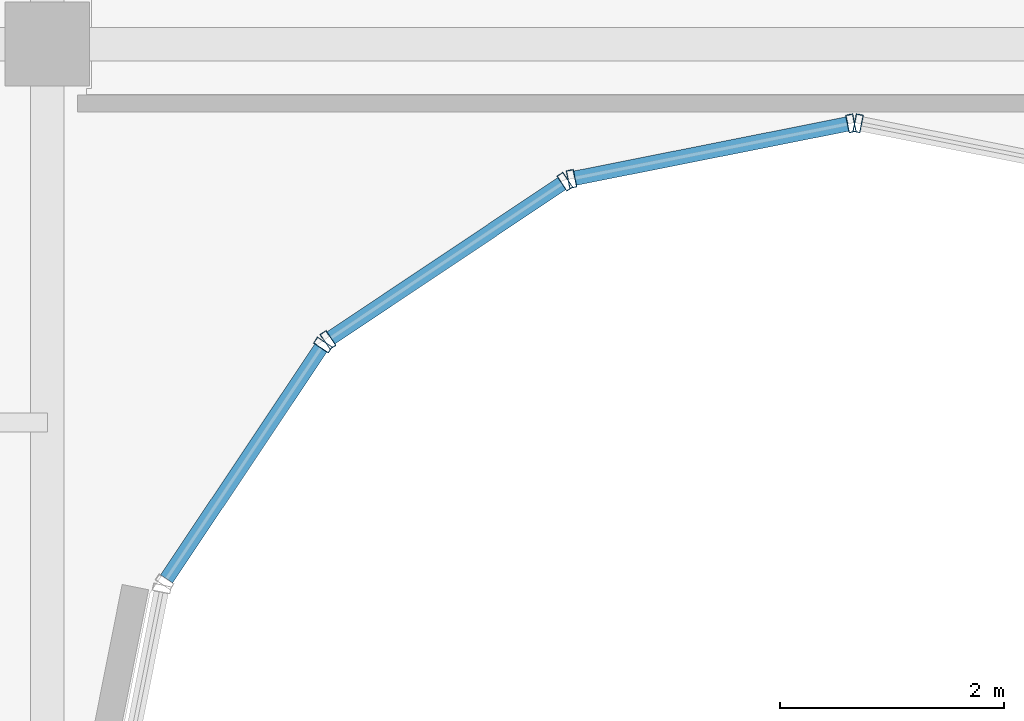
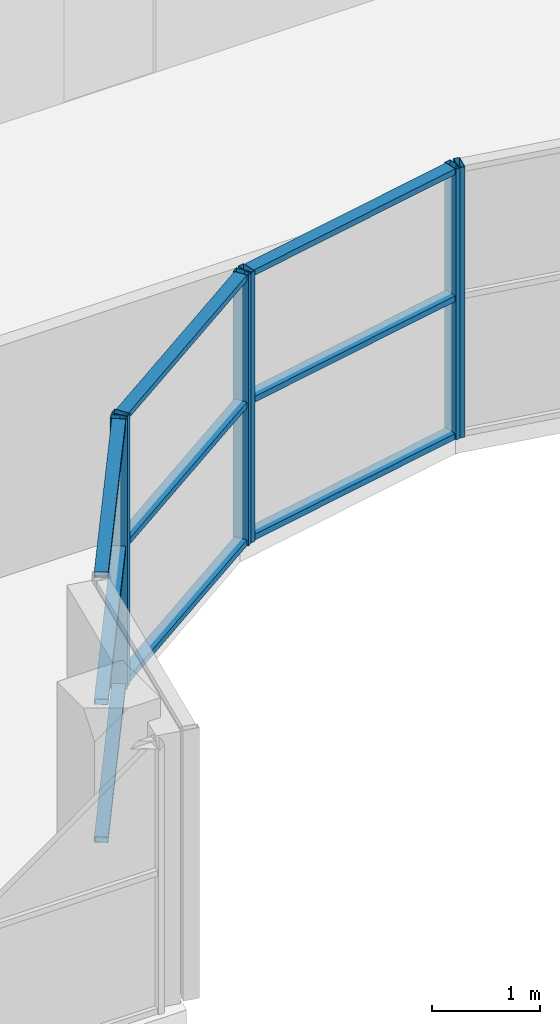
# One storey, part 5 of 29: 15 members, 4 elements without a shape of their own.
"""IFC4 building model written with IfcOpenShell, lengths in metres."""

import ifcopenshell
import ifcopenshell.guid

model = None  # the IFC model being written
_history = None  # IfcOwnerHistory: only IFC2X3 demands one
_inside = {}  # id of a spatial element -> (the spatial element, [elements in it])
_under = {}  # id of a project, library or spatial element -> (it, [spatial elements below it])
_declared = {}  # id of a project -> (the project, [libraries it declares])
_typed = {}  # id of a type object -> (the type object, [elements of that type])
_made_of = {}  # id of a material, layer set ... -> (it, [elements and type objects made of it])


def new_model(schema):
    """Start an empty IFC model of exactly this schema.

    Asked for "IFC4X3", IfcOpenShell would pick the latest addendum, in which some entities
    have other attributes; the version numbers below select the first issue.
    IFC2X3 requires an IfcOwnerHistory on every rooted entity: one is made here for all.
    """
    global model, _history
    if schema == "IFC4X3":
        model = ifcopenshell.file(schema_version=(4, 3, 0, 0))
    else:
        model = ifcopenshell.file(schema=schema)
    _inside.clear()
    _under.clear()
    _declared.clear()
    _typed.clear()
    _made_of.clear()
    _history = None
    if model.schema == "IFC2X3":
        org = make("IfcOrganization", Name="unknown")
        user = make(
            "IfcPersonAndOrganization",
            ThePerson=make("IfcPerson", FamilyName="unknown"),
            TheOrganization=org,
        )
        app = make(
            "IfcApplication",
            ApplicationDeveloper=org,
            Version="unknown",
            ApplicationFullName="unknown",
            ApplicationIdentifier="unknown",
        )
        _history = make(
            "IfcOwnerHistory",
            OwningUser=user,
            OwningApplication=app,
            ChangeAction="ADDED",
            CreationDate=0,
        )
    return model


def make(cls, **values):
    """One entity of the class cls with the attributes given. An attribute that is None is left unset."""
    return model.create_entity(
        cls, **{name: value for name, value in values.items() if value is not None}
    )


def rooted(cls, **values):
    """An entity with a GlobalId (a new one), such as an element, a storey or a relation."""
    return make(cls, GlobalId=ifcopenshell.guid.new(), OwnerHistory=_history, **values)


def si_unit(unit_type, name, prefix=None):
    """IfcSIUnit, for example si_unit("LENGTHUNIT", "METRE", prefix="MILLI")."""
    return make("IfcSIUnit", UnitType=unit_type, Prefix=prefix, Name=name)


def assignment(units):
    """IfcUnitAssignment: the units of a project."""
    return None if units is None else make("IfcUnitAssignment", Units=units)


def point(xyz):
    """IfcCartesianPoint."""
    return None if xyz is None else make("IfcCartesianPoint", Coordinates=xyz)


def direction(xyz):
    """IfcDirection."""
    return None if xyz is None else make("IfcDirection", DirectionRatios=xyz)


def frame(location, z_axis=None, x_axis=None):
    """IfcAxis2Placement3D, a coordinate frame: its origin and axes. An axis left out is left unset."""
    return make(
        "IfcAxis2Placement3D",
        Location=point(location),
        Axis=direction(z_axis),
        RefDirection=direction(x_axis),
    )


def frame_2d(location, x_axis=None):
    """IfcAxis2Placement2D, a coordinate frame in the plane: its origin and x axis."""
    return make(
        "IfcAxis2Placement2D", Location=point(location), RefDirection=direction(x_axis)
    )


def origin():
    """The frame at (0, 0, 0) with its axes left unset."""
    return frame((0.0, 0.0, 0.0))


def origin_2d():
    """The frame at (0, 0) in the plane with its x axis left unset."""
    return frame_2d((0.0, 0.0))


def place(relative_to, where):
    """IfcLocalPlacement: puts the frame where relative to a parent placement (None: the world)."""
    return make(
        "IfcLocalPlacement", PlacementRelTo=relative_to, RelativePlacement=where
    )


def context(
    kind, dimensions, precision=None, world=None, true_north=None, identifier=None
):
    """IfcGeometricRepresentationContext, for example the 3D "Model" context."""
    return make(
        "IfcGeometricRepresentationContext",
        ContextIdentifier=identifier,
        ContextType=kind,
        CoordinateSpaceDimension=dimensions,
        Precision=precision,
        WorldCoordinateSystem=world,
        TrueNorth=true_north,
    )


def subcontext(parent, identifier, kind, view, scale=None):
    """IfcGeometricRepresentationSubContext, for example "Body" below "Model"."""
    return make(
        "IfcGeometricRepresentationSubContext",
        ContextIdentifier=identifier,
        ContextType=kind,
        ParentContext=parent,
        TargetScale=scale,
        TargetView=view,
    )


def project(units=None, contexts=None):
    """IfcProject with its units and contexts."""
    return rooted(
        "IfcProject",
        Name="project",
        RepresentationContexts=contexts,
        UnitsInContext=assignment(units),
    )


def spatial(cls, under=None, at=None, **own):
    """A site, building, storey or space (cls), placed at a placement, below another one or the project."""
    s = rooted(cls, ObjectPlacement=at, **own)
    if under is not None:
        _under.setdefault(under.id(), (under, []))[1].append(s)
    return s


def profile(cls, at=None, kind="AREA", **sizes):
    """A parametric profile (cls). Its sizes go by their IFC names, for example OverallWidth=200.0."""
    return make(cls, ProfileType=kind, Position=at, **sizes)


def hollow_rectangle(**sizes):
    """IfcRectangleHollowProfileDef."""
    return profile("IfcRectangleHollowProfileDef", **sizes)


def extrude(swept, where, along, depth):
    """IfcExtrudedAreaSolid: the profile swept, set in the frame where, extruded along a direction by depth."""
    return make(
        "IfcExtrudedAreaSolid",
        SweptArea=swept,
        Position=where,
        ExtrudedDirection=direction(along),
        Depth=depth,
    )


def shape(context_of_items, identifier, shape_type, items):
    """IfcShapeRepresentation: the items that make up one representation, for example the "Body"."""
    return make(
        "IfcShapeRepresentation",
        ContextOfItems=context_of_items,
        RepresentationIdentifier=identifier,
        RepresentationType=shape_type,
        Items=items,
    )


def source(mapping_origin, context_of_items, identifier, shape_type, items):
    """IfcRepresentationMap: a shape defined once, which mapped items show again and again."""
    return make(
        "IfcRepresentationMap",
        MappingOrigin=mapping_origin,
        MappedRepresentation=shape(context_of_items, identifier, shape_type, items),
    )


def transform(
    local_origin,
    x_axis=None,
    y_axis=None,
    z_axis=None,
    scale=None,
    scale2=None,
    scale3=None,
    uniform=True,
):
    """IfcCartesianTransformationOperator3D, or its non-uniform kind. x_axis, y_axis, z_axis: its Axis1, 2, 3."""
    if uniform:
        return make(
            "IfcCartesianTransformationOperator3D",
            Axis1=direction(x_axis),
            Axis2=direction(y_axis),
            LocalOrigin=point(local_origin),
            Scale=scale,
            Axis3=direction(z_axis),
        )
    return make(
        "IfcCartesianTransformationOperator3DnonUniform",
        Axis1=direction(x_axis),
        Axis2=direction(y_axis),
        LocalOrigin=point(local_origin),
        Scale=scale,
        Axis3=direction(z_axis),
        Scale2=scale2,
        Scale3=scale3,
    )


def mapped(mapping_source, mapping_target):
    """IfcMappedItem: shows the shape of a source again, moved by a transform."""
    return make(
        "IfcMappedItem", MappingSource=mapping_source, MappingTarget=mapping_target
    )


def material(Name=None, Category=None):
    """IfcMaterial."""
    return make("IfcMaterial", Name=Name, Category=Category)


def layer(
    of_material, thickness, ventilated=None, Name=None, Category=None, Priority=None
):
    """IfcMaterialLayer: one layer of a wall or slab, of a material (None: an air gap)."""
    return make(
        "IfcMaterialLayer",
        Material=of_material,
        LayerThickness=thickness,
        IsVentilated=ventilated,
        Name=Name,
        Category=Category,
        Priority=Priority,
    )


def layer_set(layers, Name=None):
    """IfcMaterialLayerSet."""
    return make("IfcMaterialLayerSet", MaterialLayers=layers, LayerSetName=Name)


def material_profile(
    of_material, cross_section, Name=None, Category=None, Priority=None
):
    """IfcMaterialProfile: a cross section and its material."""
    return make(
        "IfcMaterialProfile",
        Name=Name,
        Material=of_material,
        Profile=cross_section,
        Priority=Priority,
        Category=Category,
    )


def profile_set(profiles, Name=None, composite=None):
    """IfcMaterialProfileSet."""
    return make(
        "IfcMaterialProfileSet",
        Name=Name,
        MaterialProfiles=profiles,
        CompositeProfile=composite,
    )


def made_of(thing, what):
    """Note that an element or type object is made of a material, layer set ...; save() writes the relation."""
    if what is not None:
        _made_of.setdefault(what.id(), (what, []))[1].append(thing)
    return thing


def type_object(cls, material=None, **own):
    """A type object (cls), such as IfcWallType, which elements share."""
    return made_of(rooted(cls, **own), material)


def element(
    cls,
    number,
    at=None,
    inside=None,
    cuts=None,
    type_object=None,
    material=None,
    context=None,
    identifier="Body",
    shape_type=None,
    held_by="IfcProductDefinitionShape",
    body=None,
    shapes=None,
    **own,
):
    """One element of the class cls, such as IfcWall. Its Tag is "e" and its number.

    at: its placement. inside: the storey or other place that contains it. cuts: it is an
    opening in that element (IfcRelVoidsElement). A single representation is given by context,
    identifier, shape_type and body (its items); several are given by shapes. held_by: the class
    of the entity that holds the representations. save() writes the other relations.
    """
    e = rooted(cls, Tag="e%d" % number, ObjectPlacement=at, **own)
    if body is not None:
        shapes = [shape(context, identifier, shape_type, body)]
    if shapes is not None:
        e.Representation = make(held_by, Representations=shapes)
    if inside is not None:
        _inside.setdefault(inside.id(), (inside, []))[1].append(e)
    if cuts is not None:
        rooted(
            "IfcRelVoidsElement", RelatingBuildingElement=cuts, RelatedOpeningElement=e
        )
    if type_object is not None:
        _typed.setdefault(type_object.id(), (type_object, []))[1].append(e)
    return made_of(e, material)


def aggregate(whole, parts):
    """IfcRelAggregates: a whole, such as a stair, and the parts it consists of."""
    return rooted("IfcRelAggregates", RelatingObject=whole, RelatedObjects=parts)


def save(model, path):
    """Write the relations noted so far, then the file.

    IfcRelAggregates (storeys below a building ...), IfcRelContainedInSpatialStructure (elements
    in a storey), IfcRelDefinesByType, IfcRelAssociatesMaterial and IfcRelDeclares: one each for
    every whole, place, type object, material and project.
    """
    for whole, parts in _under.values():
        aggregate(whole, parts)
    for where, things in _inside.values():
        rooted(
            "IfcRelContainedInSpatialStructure",
            RelatedElements=things,
            RelatingStructure=where,
        )
    for kind, things in _typed.values():
        rooted("IfcRelDefinesByType", RelatedObjects=things, RelatingType=kind)
    for what, things in _made_of.values():
        rooted("IfcRelAssociatesMaterial", RelatedObjects=things, RelatingMaterial=what)
    for by, libraries in _declared.values():
        rooted("IfcRelDeclares", RelatingContext=by, RelatedDefinitions=libraries)
    model.write(path)


model = new_model("IFC4")

# Units and contexts
model_context = context("Model", 3, precision=1e-05, world=origin(), true_north=direction((0.0, 1.0)))
body_context = subcontext(model_context, "Body", "Model", "MODEL_VIEW")
ifc_project = project(units=[si_unit("LENGTHUNIT", "METRE"), si_unit("AREAUNIT", "SQUARE_METRE"), si_unit("VOLUMEUNIT", "CUBIC_METRE"), si_unit("PLANEANGLEUNIT", "RADIAN"), si_unit("MASSUNIT", "GRAM", prefix="KILO")], contexts=[model_context])

# Site, building, storey
site_placement = place(None, origin())
site = spatial("IfcSite", under=ifc_project, at=site_placement, CompositionType="ELEMENT")
building_placement = place(site_placement, origin())
building = spatial("IfcBuilding", under=site, at=building_placement, Name="Zarnakvel Exchange Tower", CompositionType="ELEMENT")
storey_placement = place(building_placement, frame((0.0, 0.0, 265.0)))
storey = spatial("IfcBuildingStorey", under=building, at=storey_placement, Name="L75", CompositionType="ELEMENT", Elevation=265.0)

# Curtain wall, members
ifc_material = material(Name="Architectural Bronze Anodised Aluminium", Category="aluminium")
ifc_layer = layer(ifc_material, 0.159912109375)
ifc_layer_set = layer_set([ifc_layer], Name="Architectural Bronze Anodised Aluminium")
curtain_wall_type = type_object("IfcCurtainWallType", Name="CW-06", PredefinedType="NOTDEFINED", material=ifc_layer_set)
curtain_wall_1_placement = place(storey_placement, origin())
curtain_wall_1 = element("IfcCurtainWall", 1, at=curtain_wall_1_placement, inside=storey, type_object=curtain_wall_type, Name="L75 Curtain Wall CW-L75-NC2 (CW-06)", PredefinedType="NOTDEFINED")
ifc_material_profile_1 = material_profile(ifc_material, hollow_rectangle(XDim=0.1298828125, YDim=0.06494140625, WallThickness=0.00390625, at=origin_2d()))
ifc_profile_set_1 = profile_set([ifc_material_profile_1], Name="Architectural Bronze Anodised Aluminium")
member_type_1 = type_object("IfcMemberType", Name="CWT-06", PredefinedType="USERDEFINED", material=ifc_profile_set_1)
shared_shape_1 = source(origin(), body_context, "Body", "SweptSolid", [
    extrude(hollow_rectangle(XDim=0.1298828125, YDim=0.06494140625, WallThickness=0.00390625, at=origin_2d()), origin(), (0.0, 0.0, 1.0), 2.4765625),
])
member_1_placement = place(storey_placement, frame((-6.135498046875, -14.36962890625, 0.032470703125), z_axis=(0.555609854963, 0.831443136401, 0.0), x_axis=(-0.831443136401, 0.555609854963, 0.0)))
member_1 = element("IfcMember", 2, at=member_1_placement, type_object=member_type_1, Name="CW-06 transom 1.1", ObjectType="TRANSOM", PredefinedType="USERDEFINED", context=body_context, shape_type="MappedRepresentation", body=[
    mapped(shared_shape_1, transform((0.0, 0.0, 0.0), x_axis=(1.0, 0.0, 0.0), y_axis=(0.0, 1.0, 0.0), z_axis=(0.0, 0.0, 1.0), scale=1.0)),
])
member_2_placement = place(storey_placement, frame((-6.135498046875, -14.36962890625, 1.588623046875), z_axis=(0.555609854963, 0.831443136401, 0.0), x_axis=(-0.831443136401, 0.555609854963, 0.0)))
member_2 = element("IfcMember", 3, at=member_2_placement, type_object=member_type_1, Name="CW-06 transom 1.2", ObjectType="TRANSOM", PredefinedType="USERDEFINED", context=body_context, shape_type="MappedRepresentation", body=[
    mapped(shared_shape_1, transform((0.0, 0.0, 0.0), x_axis=(1.0, 0.0, 0.0), y_axis=(0.0, 1.0, 0.0), z_axis=(0.0, 0.0, 1.0), scale=1.0)),
])
member_3_placement = place(storey_placement, frame((-6.135498046875, -14.36962890625, 3.0224609375), z_axis=(0.555609854963, 0.831443136401, 0.0), x_axis=(-0.831443136401, 0.555609854963, 0.0)))
member_3 = element("IfcMember", 4, at=member_3_placement, type_object=member_type_1, Name="CW-06 transom 1.3", ObjectType="TRANSOM", PredefinedType="USERDEFINED", context=body_context, shape_type="MappedRepresentation", body=[
    mapped(shared_shape_1, transform((0.0, 0.0, 0.0), x_axis=(1.0, 0.0, 0.0), y_axis=(0.0, 1.0, 0.0), z_axis=(0.0, 0.0, 1.0), scale=1.0)),
])

curtain_wall_2_placement = place(storey_placement, origin())
curtain_wall_2 = element("IfcCurtainWall", 5, at=curtain_wall_2_placement, inside=storey, type_object=curtain_wall_type, Name="L75 Curtain Wall CW-L75-NC3 (CW-06)", PredefinedType="NOTDEFINED")
member_4_placement = place(storey_placement, frame((-4.66943359375, -12.220458984375, 0.032470703125), z_axis=(0.831443136401, 0.555609854963, 0.0), x_axis=(-0.555609854963, 0.831443136401, 0.0)))
member_4 = element("IfcMember", 6, at=member_4_placement, type_object=member_type_1, Name="CW-06 transom 1.1", ObjectType="TRANSOM", PredefinedType="USERDEFINED", context=body_context, shape_type="MappedRepresentation", body=[
    mapped(shared_shape_1, transform((0.0, 0.0, 0.0), x_axis=(1.0, 0.0, 0.0), y_axis=(0.0, 1.0, 0.0), z_axis=(0.0, 0.0, 1.0), scale=1.0)),
])
member_5_placement = place(storey_placement, frame((-4.66943359375, -12.220458984375, 1.588623046875), z_axis=(0.831443136401, 0.555609854963, 0.0), x_axis=(-0.555609854963, 0.831443136401, 0.0)))
member_5 = element("IfcMember", 7, at=member_5_placement, type_object=member_type_1, Name="CW-06 transom 1.2", ObjectType="TRANSOM", PredefinedType="USERDEFINED", context=body_context, shape_type="MappedRepresentation", body=[
    mapped(shared_shape_1, transform((0.0, 0.0, 0.0), x_axis=(1.0, 0.0, 0.0), y_axis=(0.0, 1.0, 0.0), z_axis=(0.0, 0.0, 1.0), scale=1.0)),
])
member_6_placement = place(storey_placement, frame((-4.66943359375, -12.220458984375, 3.0224609375), z_axis=(0.831443136401, 0.555609854963, 0.0), x_axis=(-0.555609854963, 0.831443136401, 0.0)))
member_6 = element("IfcMember", 8, at=member_6_placement, type_object=member_type_1, Name="CW-06 transom 1.3", ObjectType="TRANSOM", PredefinedType="USERDEFINED", context=body_context, shape_type="MappedRepresentation", body=[
    mapped(shared_shape_1, transform((0.0, 0.0, 0.0), x_axis=(1.0, 0.0, 0.0), y_axis=(0.0, 1.0, 0.0), z_axis=(0.0, 0.0, 1.0), scale=1.0)),
])

curtain_wall_3_placement = place(storey_placement, origin())
curtain_wall_3 = element("IfcCurtainWall", 9, at=curtain_wall_3_placement, inside=storey, type_object=curtain_wall_type, Name="L75 Curtain Wall CW-L75-NC4 (CW-06)", PredefinedType="NOTDEFINED")
member_7_placement = place(storey_placement, frame((-2.49267578125, -10.7958984375, 0.032470703125), z_axis=(0.980784886983, 0.195092299863, 0.0), x_axis=(-0.195092299863, 0.980784886983, 0.0)))
member_7 = element("IfcMember", 10, at=member_7_placement, type_object=member_type_1, Name="CW-06 transom 1.1", ObjectType="TRANSOM", PredefinedType="USERDEFINED", context=body_context, shape_type="MappedRepresentation", body=[
    mapped(shared_shape_1, transform((0.0, 0.0, 0.0), x_axis=(1.0, 0.0, 0.0), y_axis=(0.0, 1.0, 0.0), z_axis=(0.0, 0.0, 1.0), scale=1.0)),
])
member_8_placement = place(storey_placement, frame((-2.49267578125, -10.7958984375, 1.588623046875), z_axis=(0.980784886983, 0.195092299863, 0.0), x_axis=(-0.195092299863, 0.980784886983, 0.0)))
member_8 = element("IfcMember", 11, at=member_8_placement, type_object=member_type_1, Name="CW-06 transom 1.2", ObjectType="TRANSOM", PredefinedType="USERDEFINED", context=body_context, shape_type="MappedRepresentation", body=[
    mapped(shared_shape_1, transform((0.0, 0.0, 0.0), x_axis=(1.0, 0.0, 0.0), y_axis=(0.0, 1.0, 0.0), z_axis=(0.0, 0.0, 1.0), scale=1.0)),
])
member_9_placement = place(storey_placement, frame((-2.49267578125, -10.7958984375, 3.0224609375), z_axis=(0.980784886983, 0.195092299863, 0.0), x_axis=(-0.195092299863, 0.980784886983, 0.0)))
member_9 = element("IfcMember", 12, at=member_9_placement, type_object=member_type_1, Name="CW-06 transom 1.3", ObjectType="TRANSOM", PredefinedType="USERDEFINED", context=body_context, shape_type="MappedRepresentation", body=[
    mapped(shared_shape_1, transform((0.0, 0.0, 0.0), x_axis=(1.0, 0.0, 0.0), y_axis=(0.0, 1.0, 0.0), z_axis=(0.0, 0.0, 1.0), scale=1.0)),
])

# Member
ifc_material_profile_2 = material_profile(ifc_material, hollow_rectangle(XDim=0.159912109375, YDim=0.06494140625, WallThickness=0.00390625, at=origin_2d()))
ifc_profile_set_2 = profile_set([ifc_material_profile_2], Name="Architectural Bronze Anodised Aluminium")
member_type_2 = type_object("IfcMemberType", Name="CWM-06", PredefinedType="MULLION", material=ifc_profile_set_2)
shared_shape_2 = source(origin(), body_context, "Body", "SweptSolid", [
    extrude(hollow_rectangle(XDim=0.159912109375, YDim=0.06494140625, WallThickness=0.00390625, at=origin_2d()), origin(), (0.0, 0.0, 1.0), 3.054931640625),
])
member_10_placement = place(storey_placement, frame((-4.741455078125, -12.283447265625, 0.0), z_axis=(0.0, 0.0, 1.0), x_axis=(-0.831469612089, 0.555570233339, 0.0)))
member_10 = element("IfcMember", 13, at=member_10_placement, type_object=member_type_2, Name="CW-06 mullion 2", PredefinedType="MULLION", context=body_context, shape_type="MappedRepresentation", body=[
    mapped(shared_shape_2, transform((0.0, 0.0, 0.0), x_axis=(1.0, 0.0, 0.0), y_axis=(0.0, 1.0, 0.0), z_axis=(0.0, 0.0, 1.0), scale=1.0)),
])

aggregate(curtain_wall_1, [member_10, member_1, member_2, member_3])

member_11_placement = place(storey_placement, frame((-4.696533203125, -12.238525390625, 0.0), z_axis=(0.0, 0.0, 1.0), x_axis=(-0.555570233339, 0.831469612089, 0.0)))
member_11 = element("IfcMember", 14, at=member_11_placement, type_object=member_type_2, Name="CW-06 mullion 1", PredefinedType="MULLION", context=body_context, shape_type="MappedRepresentation", body=[
    mapped(shared_shape_2, transform((0.0, 0.0, 0.0), x_axis=(1.0, 0.0, 0.0), y_axis=(0.0, 1.0, 0.0), z_axis=(0.0, 0.0, 1.0), scale=1.0)),
])

member_12_placement = place(storey_placement, frame((-2.583251953125, -10.82666015625, 0.0), z_axis=(0.0, 0.0, 1.0), x_axis=(-0.555570233339, 0.831469612089, 0.0)))
member_12 = element("IfcMember", 15, at=member_12_placement, type_object=member_type_2, Name="CW-06 mullion 2", PredefinedType="MULLION", context=body_context, shape_type="MappedRepresentation", body=[
    mapped(shared_shape_2, transform((0.0, 0.0, 0.0), x_axis=(1.0, 0.0, 0.0), y_axis=(0.0, 1.0, 0.0), z_axis=(0.0, 0.0, 1.0), scale=1.0)),
])

aggregate(curtain_wall_2, [member_11, member_12, member_4, member_5, member_6])

member_13_placement = place(storey_placement, frame((-2.5244140625, -10.80224609375, 0.0), z_axis=(0.0, 0.0, 1.0), x_axis=(-0.195090448398, 0.980785255264, 0.0)))
member_13 = element("IfcMember", 16, at=member_13_placement, type_object=member_type_2, Name="CW-06 mullion 1", PredefinedType="MULLION", context=body_context, shape_type="MappedRepresentation", body=[
    mapped(shared_shape_2, transform((0.0, 0.0, 0.0), x_axis=(1.0, 0.0, 0.0), y_axis=(0.0, 1.0, 0.0), z_axis=(0.0, 0.0, 1.0), scale=1.0)),
])

member_14_placement = place(storey_placement, frame((-0.031982421875, -10.306396484375, 0.0), z_axis=(0.0, 0.0, 1.0), x_axis=(-0.195090448398, 0.980785255264, 0.0)))
member_14 = element("IfcMember", 17, at=member_14_placement, type_object=member_type_2, Name="CW-06 mullion 2", PredefinedType="MULLION", context=body_context, shape_type="MappedRepresentation", body=[
    mapped(shared_shape_2, transform((0.0, 0.0, 0.0), x_axis=(1.0, 0.0, 0.0), y_axis=(0.0, 1.0, 0.0), z_axis=(0.0, 0.0, 1.0), scale=1.0)),
])

aggregate(curtain_wall_3, [member_13, member_14, member_7, member_8, member_9])

# Curtain wall, member
curtain_wall_4_placement = place(storey_placement, origin())
curtain_wall_4 = element("IfcCurtainWall", 18, at=curtain_wall_4_placement, inside=storey, type_object=curtain_wall_type, Name="L75 Curtain Wall CW-L75-NC5 (CW-06)", PredefinedType="NOTDEFINED")
member_15_placement = place(storey_placement, frame((0.031982421875, -10.306396484375, 0.0), z_axis=(0.0, 0.0, 1.0), x_axis=(0.195090448398, 0.980785255264, 0.0)))
member_15 = element("IfcMember", 19, at=member_15_placement, type_object=member_type_2, Name="CW-06 mullion 1", PredefinedType="MULLION", context=body_context, shape_type="MappedRepresentation", body=[
    mapped(shared_shape_2, transform((0.0, 0.0, 0.0), x_axis=(1.0, 0.0, 0.0), y_axis=(0.0, 1.0, 0.0), z_axis=(0.0, 0.0, 1.0), scale=1.0)),
])
aggregate(curtain_wall_4, [member_15])

save(model, "model.ifc")
